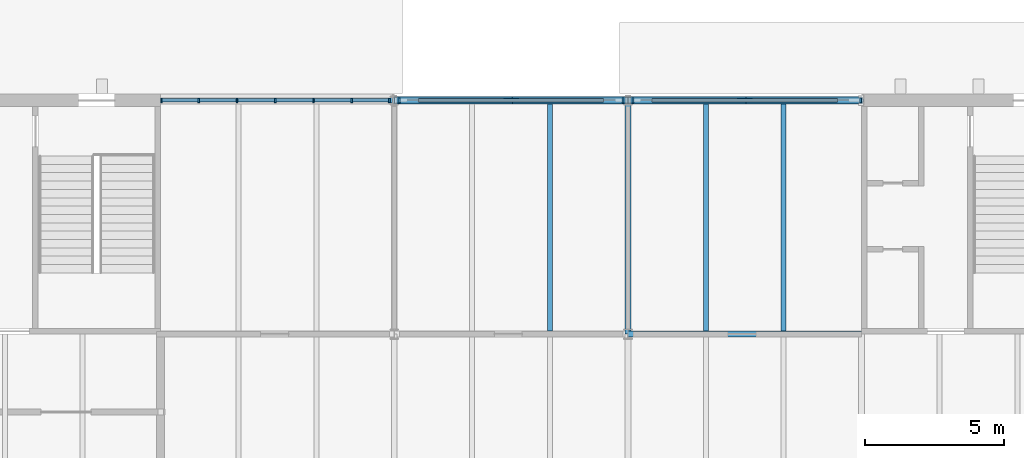
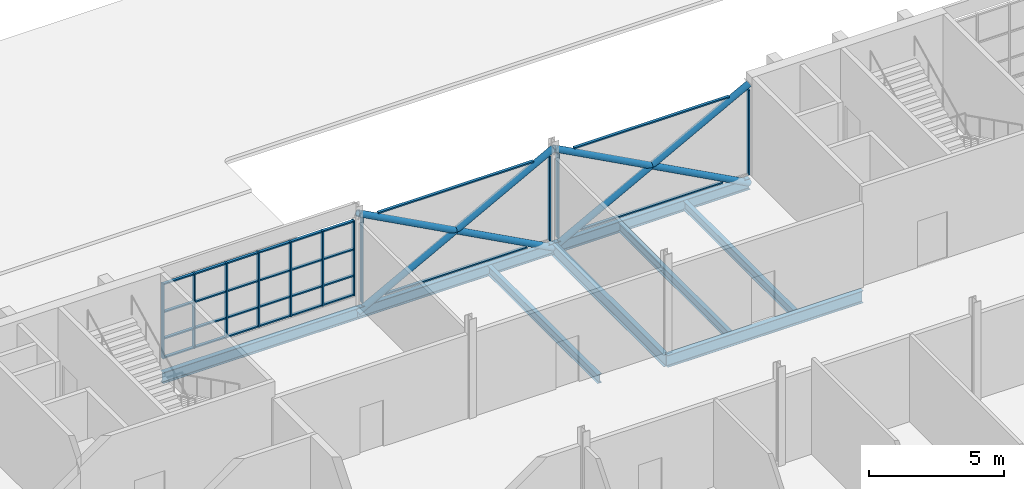
# One storey, part 56 of 116: 45 members, 8 beams, 3 elements without a shape of their own.
"""IFC4 building model written with IfcOpenShell, lengths in metres."""

from ifc_helpers import new_model, si_unit, direction, frame, origin, origin_2d, place, context, subcontext, project, spatial, rectangle, hollow_circle, i_section, extrude, material, layer, layer_set, material_profile, profile_set, type_object, element, aggregate, save


model = new_model("IFC4")

# Units and contexts
model_context = context("Model", 3, precision=1e-05, world=origin(), true_north=direction((0.0, 1.0)))
body_context = subcontext(model_context, "Body", "Model", "MODEL_VIEW")
ifc_project = project(units=[si_unit("LENGTHUNIT", "METRE"), si_unit("AREAUNIT", "SQUARE_METRE"), si_unit("VOLUMEUNIT", "CUBIC_METRE"), si_unit("PLANEANGLEUNIT", "RADIAN"), si_unit("MASSUNIT", "GRAM", prefix="KILO")], contexts=[model_context])

# Site, building, storey
site_placement = place(None, origin())
site = spatial("IfcSite", under=ifc_project, at=site_placement, CompositionType="ELEMENT")
building_placement = place(site_placement, origin())
building = spatial("IfcBuilding", under=site, at=building_placement, Name="Ardhachandra Cancer Care Centre", CompositionType="ELEMENT")
storey_placement = place(building_placement, origin())
storey = spatial("IfcBuildingStorey", under=building, at=storey_placement, Name="L00", CompositionType="ELEMENT", Elevation=0.0)

# Beams
ifc_material_1 = material(Name="Steel E350 (IS 2062)", Category="steel")
ifc_material_profile_1 = material_profile(ifc_material_1, i_section(OverallWidth=0.179931640625, OverallDepth=0.39990234375, WebThickness=0.008544921875, FlangeThickness=0.013427734375, FilletRadius=0.02099609375, at=origin_2d()), Name="NPB 400x180x66.30")
ifc_profile_set_1 = profile_set([ifc_material_profile_1], Name="Steel E350 (IS 2062)")
beam_type_1 = type_object("IfcBeamType", Name="Beam NPB 400x180x66.30", PredefinedType="BEAM", material=ifc_profile_set_1)
for number, where, z_axis, x_axis, name in (
    (1, (58.39990234375, 88.304931640625, -0.35009765625), (0.0, 1.0, 0.0), (-1.0, 0.0, 0.0), "Secondary K6-L6@5600"),
    (2, (64.0, 88.304931640625, -0.35009765625), (0.0, 1.0, 0.0), (-1.0, 0.0, 0.0), "Secondary K7-L7@2800"),
    (3, (66.800048828125, 88.304931640625, -0.35009765625), (0.0, 1.0, 0.0), (-1.0, 0.0, 0.0), "Secondary K7-L7@5600"),
):
    element("IfcBeam", number, at=place(storey_placement, frame(where, z_axis=z_axis, x_axis=x_axis)), inside=storey, type_object=beam_type_1, Name=name, PredefinedType="BEAM", context=body_context, shape_type="SweptSolid", body=[
        extrude(i_section(OverallWidth=0.179931640625, OverallDepth=0.39990234375, WebThickness=0.008544921875, FlangeThickness=0.013427734375, FilletRadius=0.02099609375, at=origin_2d()), origin(), (0.0, 0.0, 1.0), 8.195068359375),
    ])
ifc_material_2 = material(Name="Steel E350 (IS 2062)", Category="steel")
ifc_material_profile_2 = material_profile(ifc_material_2, i_section(OverallWidth=0.199951171875, OverallDepth=0.5, WebThickness=0.01025390625, FlangeThickness=0.01611328125, FilletRadius=0.02099609375, at=origin_2d()), Name="NPB 500x200x90.68")
ifc_profile_set_2 = profile_set([ifc_material_profile_2], Name="Steel E350 (IS 2062)")
beam_type_2 = type_object("IfcBeamType", Name="Beam NPB 500x200x90.68", PredefinedType="BEAM", material=ifc_profile_set_2)
beam_1_placement = place(storey_placement, frame((44.39990234375, 96.60009765625, -0.39990234375), z_axis=(1.0, 0.0, 0.0), x_axis=(0.0, 1.0, 0.0)))
element("IfcBeam", 4, at=beam_1_placement, inside=storey, type_object=beam_type_2, Name="Edge girder L5-L6", PredefinedType="BEAM", context=body_context, shape_type="SweptSolid", body=[
    extrude(i_section(OverallWidth=0.199951171875, OverallDepth=0.5, WebThickness=0.01025390625, FlangeThickness=0.01611328125, FilletRadius=0.02099609375, at=origin_2d()), origin(), (0.0, 0.0, 1.0), 8.400146484375),
])
beam_2_placement = place(storey_placement, frame((52.800048828125, 96.60009765625, -0.39990234375), z_axis=(1.0, 0.0, 0.0), x_axis=(0.0, 1.0, 0.0)))
element("IfcBeam", 5, at=beam_2_placement, inside=storey, type_object=beam_type_2, Name="Edge girder L6-L7", PredefinedType="BEAM", context=body_context, shape_type="SweptSolid", body=[
    extrude(i_section(OverallWidth=0.199951171875, OverallDepth=0.5, WebThickness=0.01025390625, FlangeThickness=0.01611328125, FilletRadius=0.02099609375, at=origin_2d()), origin(), (0.0, 0.0, 1.0), 8.39990234375),
])
beam_3_placement = place(storey_placement, frame((61.199951171875, 96.60009765625, -0.39990234375), z_axis=(1.0, 0.0, 0.0), x_axis=(0.0, 1.0, 0.0)))
element("IfcBeam", 6, at=beam_3_placement, inside=storey, type_object=beam_type_2, Name="Edge girder L7-L8", PredefinedType="BEAM", context=body_context, shape_type="SweptSolid", body=[
    extrude(i_section(OverallWidth=0.199951171875, OverallDepth=0.5, WebThickness=0.01025390625, FlangeThickness=0.01611328125, FilletRadius=0.02099609375, at=origin_2d()), origin(), (0.0, 0.0, 1.0), 8.400146484375),
])
ifc_material_3 = material(Name="Steel E350 (IS 2062)", Category="steel")
ifc_material_profile_3 = material_profile(ifc_material_3, i_section(OverallWidth=0.2099609375, OverallDepth=0.550048828125, WebThickness=0.010986328125, FlangeThickness=0.01708984375, FilletRadius=0.02392578125, at=origin_2d()), Name="NPB 550x210x105.52")
ifc_profile_set_3 = profile_set([ifc_material_profile_3], Name="Steel E350 (IS 2062)")
beam_type_3 = type_object("IfcBeamType", Name="Beam NPB 550x210x105.52", PredefinedType="BEAM", material=ifc_profile_set_3)
for number, where, z_axis, x_axis, name in (
    (7, (61.199951171875, 88.199951171875, -0.425048828125), (1.0, 0.0, 0.0), (0.0, 1.0, 0.0), "Girder K7-K8"),
    (8, (61.199951171875, 88.199951171875, -0.425048828125), (0.0, 1.0, 0.0), (-1.0, 0.0, 0.0), "Girder K7-L7"),
):
    element("IfcBeam", number, at=place(storey_placement, frame(where, z_axis=z_axis, x_axis=x_axis)), inside=storey, type_object=beam_type_3, Name=name, PredefinedType="BEAM", context=body_context, shape_type="SweptSolid", body=[
        extrude(i_section(OverallWidth=0.2099609375, OverallDepth=0.550048828125, WebThickness=0.010986328125, FlangeThickness=0.01708984375, FilletRadius=0.02392578125, at=origin_2d()), origin(), (0.0, 0.0, 1.0), 8.400146484375),
    ])

# Members
ifc_material_4 = material(Name="Steel E350 (IS 2062)", Category="steel")
ifc_material_profile_4 = material_profile(ifc_material_4, hollow_circle(Radius=0.136474609375, WallThickness=0.012451171875, at=origin_2d()), Name="CHS 273x12.5")
ifc_profile_set_4 = profile_set([ifc_material_profile_4], Name="Steel E350 (IS 2062)")
member_type_1 = type_object("IfcMemberType", Name="Brace CHS 273x12.5", PredefinedType="BRACE", material=ifc_profile_set_4)
member_1_placement = place(storey_placement, frame((52.800048828125, 96.60009765625, -0.39990234375), z_axis=(0.881477684796, 0.0, 0.472225678258), x_axis=(0.0, 1.0, 0.0)))
element("IfcMember", 9, at=member_1_placement, inside=storey, type_object=member_type_1, Name="Brace V1-X966-528 L00 A", PredefinedType="BRACE", context=body_context, shape_type="SweptSolid", body=[
    extrude(hollow_circle(Radius=0.136474609375, WallThickness=0.012451171875, at=origin_2d()), origin(), (0.0, 0.0, 1.0), 9.529296875),
])
for number, where, z_axis, x_axis, name in (
    (10, (61.199951171875, 96.60009765625, -0.39990234375), (-0.881477684796, 0.0, 0.472225678258), (0.0, -1.0, 0.0), "Brace V1-X966-528 L00 B1"),
    (11, (57.0, 96.60009765625, 1.85009765625), (-0.881477684796, 0.0, 0.472225678258), (0.0, -1.0, 0.0), "Brace V1-X966-528 L00 B2"),
):
    element("IfcMember", number, at=place(storey_placement, frame(where, z_axis=z_axis, x_axis=x_axis)), inside=storey, type_object=member_type_1, Name=name, PredefinedType="BRACE", context=body_context, shape_type="SweptSolid", body=[
        extrude(hollow_circle(Radius=0.136474609375, WallThickness=0.012451171875, at=origin_2d()), origin(), (0.0, 0.0, 1.0), 4.7646484375),
    ])
member_2_placement = place(storey_placement, frame((61.199951171875, 96.60009765625, -0.39990234375), z_axis=(0.881483397762, 0.0, 0.472215014025), x_axis=(0.0, 1.0, 0.0)))
element("IfcMember", 12, at=member_2_placement, inside=storey, type_object=member_type_1, Name="Brace V1-X966-612 L00 A", PredefinedType="BRACE", context=body_context, shape_type="SweptSolid", body=[
    extrude(hollow_circle(Radius=0.136474609375, WallThickness=0.012451171875, at=origin_2d()), origin(), (0.0, 0.0, 1.0), 9.529541015625),
])
member_3_placement = place(storey_placement, frame((69.60009765625, 96.60009765625, -0.39990234375), z_axis=(-0.881489110341, 0.0, 0.472204350203), x_axis=(0.0, -1.0, 0.0)))
element("IfcMember", 13, at=member_3_placement, inside=storey, type_object=member_type_1, Name="Brace V1-X966-612 L00 B1", PredefinedType="BRACE", context=body_context, shape_type="SweptSolid", body=[
    extrude(hollow_circle(Radius=0.136474609375, WallThickness=0.012451171875, at=origin_2d()), origin(), (0.0, 0.0, 1.0), 4.764892578125),
])
member_4_placement = place(storey_placement, frame((65.39990234375, 96.60009765625, 1.85009765625), z_axis=(-0.881477684796, 0.0, 0.472225678258), x_axis=(0.0, -1.0, 0.0)))
element("IfcMember", 14, at=member_4_placement, inside=storey, type_object=member_type_1, Name="Brace V1-X966-612 L00 B2", PredefinedType="BRACE", context=body_context, shape_type="SweptSolid", body=[
    extrude(hollow_circle(Radius=0.136474609375, WallThickness=0.012451171875, at=origin_2d()), origin(), (0.0, 0.0, 1.0), 4.7646484375),
])

# Curtain wall, members
ifc_material_5 = material(Name="Aluminium extrusion", Category="aluminium")
ifc_layer = layer(ifc_material_5, 0.14990234375)
ifc_layer_set = layer_set([ifc_layer], Name="Aluminium extrusion")
curtain_wall_type = type_object("IfcCurtainWallType", Name="Curtain wall run", PredefinedType="NOTDEFINED", material=ifc_layer_set)
curtain_wall_1_placement = place(storey_placement, origin())
curtain_wall_1 = element("IfcCurtainWall", 15, at=curtain_wall_1_placement, inside=storey, type_object=curtain_wall_type, Name="Curtain wall L00 n/0044400_0096600", PredefinedType="NOTDEFINED")
ifc_material_6 = material(Name="Aluminium extrusion", Category="aluminium")
ifc_material_profile_5 = material_profile(ifc_material_6, rectangle(XDim=0.159912109375, YDim=0.06005859375, at=origin_2d()), Name="Curtain wall mullion 60 x 160")
ifc_profile_set_5 = profile_set([ifc_material_profile_5], Name="Aluminium extrusion")
member_type_2 = type_object("IfcMemberType", Name="Curtain wall mullion 60 x 160", PredefinedType="MULLION", material=ifc_profile_set_5)
member_5_placement = place(storey_placement, frame((44.429931640625, 96.60009765625, 0.449951171875), z_axis=(0.0, 0.0, 1.0), x_axis=(0.0, 1.0, 0.0)))
member_5 = element("IfcMember", 16, at=member_5_placement, type_object=member_type_2, Name="CW mullion 1", PredefinedType="MULLION", context=body_context, shape_type="SweptSolid", body=[
    extrude(rectangle(XDim=0.159912109375, YDim=0.06005859375, at=origin_2d()), origin(), (0.0, 0.0, 1.0), 3.400146484375),
])
member_6_placement = place(storey_placement, frame((45.77490234375, 96.60009765625, 0.449951171875), z_axis=(0.0, 0.0, 1.0), x_axis=(0.0, 1.0, 0.0)))
member_6 = element("IfcMember", 17, at=member_6_placement, type_object=member_type_2, Name="CW mullion 2", PredefinedType="MULLION", context=body_context, shape_type="SweptSolid", body=[
    extrude(rectangle(XDim=0.159912109375, YDim=0.06005859375, at=origin_2d()), origin(), (0.0, 0.0, 1.0), 3.400146484375),
])
member_7_placement = place(storey_placement, frame((47.14990234375, 96.60009765625, 0.449951171875), z_axis=(0.0, 0.0, 1.0), x_axis=(0.0, 1.0, 0.0)))
member_7 = element("IfcMember", 18, at=member_7_placement, type_object=member_type_2, Name="CW mullion 3", PredefinedType="MULLION", context=body_context, shape_type="SweptSolid", body=[
    extrude(rectangle(XDim=0.159912109375, YDim=0.06005859375, at=origin_2d()), origin(), (0.0, 0.0, 1.0), 3.400146484375),
])
member_8_placement = place(storey_placement, frame((48.52490234375, 96.60009765625, 0.449951171875), z_axis=(0.0, 0.0, 1.0), x_axis=(0.0, 1.0, 0.0)))
member_8 = element("IfcMember", 19, at=member_8_placement, type_object=member_type_2, Name="CW mullion 4", PredefinedType="MULLION", context=body_context, shape_type="SweptSolid", body=[
    extrude(rectangle(XDim=0.159912109375, YDim=0.06005859375, at=origin_2d()), origin(), (0.0, 0.0, 1.0), 3.400146484375),
])
member_9_placement = place(storey_placement, frame((49.89990234375, 96.60009765625, 0.449951171875), z_axis=(0.0, 0.0, 1.0), x_axis=(0.0, 1.0, 0.0)))
member_9 = element("IfcMember", 20, at=member_9_placement, type_object=member_type_2, Name="CW mullion 5", PredefinedType="MULLION", context=body_context, shape_type="SweptSolid", body=[
    extrude(rectangle(XDim=0.159912109375, YDim=0.06005859375, at=origin_2d()), origin(), (0.0, 0.0, 1.0), 3.400146484375),
])
member_10_placement = place(storey_placement, frame((51.27490234375, 96.60009765625, 0.449951171875), z_axis=(0.0, 0.0, 1.0), x_axis=(0.0, 1.0, 0.0)))
member_10 = element("IfcMember", 21, at=member_10_placement, type_object=member_type_2, Name="CW mullion 6", PredefinedType="MULLION", context=body_context, shape_type="SweptSolid", body=[
    extrude(rectangle(XDim=0.159912109375, YDim=0.06005859375, at=origin_2d()), origin(), (0.0, 0.0, 1.0), 3.400146484375),
])
member_11_placement = place(storey_placement, frame((52.6201171875, 96.60009765625, 0.449951171875), z_axis=(0.0, 0.0, 1.0), x_axis=(0.0, 1.0, 0.0)))
member_11 = element("IfcMember", 22, at=member_11_placement, type_object=member_type_2, Name="CW mullion 7", PredefinedType="MULLION", context=body_context, shape_type="SweptSolid", body=[
    extrude(rectangle(XDim=0.159912109375, YDim=0.06005859375, at=origin_2d()), origin(), (0.0, 0.0, 1.0), 3.400146484375),
])

curtain_wall_2_placement = place(storey_placement, origin())
curtain_wall_2 = element("IfcCurtainWall", 23, at=curtain_wall_2_placement, inside=storey, type_object=curtain_wall_type, Name="Curtain wall L00 n/0052800_0096600", PredefinedType="NOTDEFINED")
member_12_placement = place(storey_placement, frame((52.97998046875, 96.60009765625, 0.0), z_axis=(0.0, 0.0, 1.0), x_axis=(0.0, 1.0, 0.0)))
member_12 = element("IfcMember", 24, at=member_12_placement, type_object=member_type_2, Name="CW mullion 1", PredefinedType="MULLION", context=body_context, shape_type="SweptSolid", body=[
    extrude(rectangle(XDim=0.159912109375, YDim=0.06005859375, at=origin_2d()), origin(), (0.0, 0.0, 1.0), 3.8310546875),
])
member_13_placement = place(storey_placement, frame((61.02001953125, 96.60009765625, 0.0), z_axis=(0.0, 0.0, 1.0), x_axis=(0.0, 1.0, 0.0)))
member_13 = element("IfcMember", 25, at=member_13_placement, type_object=member_type_2, Name="CW mullion 2", PredefinedType="MULLION", context=body_context, shape_type="SweptSolid", body=[
    extrude(rectangle(XDim=0.159912109375, YDim=0.06005859375, at=origin_2d()), origin(), (0.0, 0.0, 1.0), 3.8310546875),
])

curtain_wall_3_placement = place(storey_placement, origin())
curtain_wall_3 = element("IfcCurtainWall", 26, at=curtain_wall_3_placement, inside=storey, type_object=curtain_wall_type, Name="Curtain wall L00 n/0061200_0096600", PredefinedType="NOTDEFINED")
member_14_placement = place(storey_placement, frame((61.3798828125, 96.60009765625, 0.0), z_axis=(0.0, 0.0, 1.0), x_axis=(0.0, 1.0, 0.0)))
member_14 = element("IfcMember", 27, at=member_14_placement, type_object=member_type_2, Name="CW mullion 1", PredefinedType="MULLION", context=body_context, shape_type="SweptSolid", body=[
    extrude(rectangle(XDim=0.159912109375, YDim=0.06005859375, at=origin_2d()), origin(), (0.0, 0.0, 1.0), 3.8310546875),
])
member_15_placement = place(storey_placement, frame((69.570068359375, 96.60009765625, 0.0), z_axis=(0.0, 0.0, 1.0), x_axis=(0.0, 1.0, 0.0)))
member_15 = element("IfcMember", 28, at=member_15_placement, type_object=member_type_2, Name="CW mullion 2", PredefinedType="MULLION", context=body_context, shape_type="SweptSolid", body=[
    extrude(rectangle(XDim=0.159912109375, YDim=0.06005859375, at=origin_2d()), origin(), (0.0, 0.0, 1.0), 3.85009765625),
])

# Member
ifc_material_7 = material(Name="Aluminium extrusion", Category="aluminium")
ifc_material_profile_6 = material_profile(ifc_material_7, rectangle(XDim=0.1201171875, YDim=0.06005859375, at=origin_2d()), Name="Curtain wall transom 60 x 120")
ifc_profile_set_6 = profile_set([ifc_material_profile_6], Name="Aluminium extrusion")
member_type_3 = type_object("IfcMemberType", Name="Curtain wall transom 60 x 120", PredefinedType="USERDEFINED", material=ifc_profile_set_6)
member_16_placement = place(storey_placement, frame((44.4599609375, 96.60009765625, 0.47998046875), z_axis=(1.0, 0.0, 0.0), x_axis=(0.0, 1.0, 0.0)))
member_16 = element("IfcMember", 29, at=member_16_placement, type_object=member_type_3, Name="CW transom 1.1", ObjectType="TRANSOM", PredefinedType="USERDEFINED", context=body_context, shape_type="SweptSolid", body=[
    extrude(rectangle(XDim=0.1201171875, YDim=0.06005859375, at=origin_2d()), origin(), (0.0, 0.0, 1.0), 1.28515625),
])

member_17_placement = place(storey_placement, frame((44.4599609375, 96.60009765625, 1.35009765625), z_axis=(1.0, 0.0, 0.0), x_axis=(0.0, 1.0, 0.0)))
member_17 = element("IfcMember", 30, at=member_17_placement, type_object=member_type_3, Name="CW transom 1.2", ObjectType="TRANSOM", PredefinedType="USERDEFINED", context=body_context, shape_type="SweptSolid", body=[
    extrude(rectangle(XDim=0.1201171875, YDim=0.06005859375, at=origin_2d()), origin(), (0.0, 0.0, 1.0), 1.28515625),
])

member_18_placement = place(storey_placement, frame((44.4599609375, 96.60009765625, 2.550048828125), z_axis=(1.0, 0.0, 0.0), x_axis=(0.0, 1.0, 0.0)))
member_18 = element("IfcMember", 31, at=member_18_placement, type_object=member_type_3, Name="CW transom 1.3", ObjectType="TRANSOM", PredefinedType="USERDEFINED", context=body_context, shape_type="SweptSolid", body=[
    extrude(rectangle(XDim=0.1201171875, YDim=0.06005859375, at=origin_2d()), origin(), (0.0, 0.0, 1.0), 1.28515625),
])

member_19_placement = place(storey_placement, frame((44.4599609375, 96.60009765625, 3.820068359375), z_axis=(1.0, 0.0, 0.0), x_axis=(0.0, 1.0, 0.0)))
member_19 = element("IfcMember", 32, at=member_19_placement, type_object=member_type_3, Name="CW transom 1.4", ObjectType="TRANSOM", PredefinedType="USERDEFINED", context=body_context, shape_type="SweptSolid", body=[
    extrude(rectangle(XDim=0.1201171875, YDim=0.06005859375, at=origin_2d()), origin(), (0.0, 0.0, 1.0), 1.28515625),
])

member_20_placement = place(storey_placement, frame((45.804931640625, 96.60009765625, 0.47998046875), z_axis=(1.0, 0.0, 0.0), x_axis=(0.0, 1.0, 0.0)))
member_20 = element("IfcMember", 33, at=member_20_placement, type_object=member_type_3, Name="CW transom 2.1", ObjectType="TRANSOM", PredefinedType="USERDEFINED", context=body_context, shape_type="SweptSolid", body=[
    extrude(rectangle(XDim=0.1201171875, YDim=0.06005859375, at=origin_2d()), origin(), (0.0, 0.0, 1.0), 1.315185546875),
])

member_21_placement = place(storey_placement, frame((45.804931640625, 96.60009765625, 1.35009765625), z_axis=(1.0, 0.0, 0.0), x_axis=(0.0, 1.0, 0.0)))
member_21 = element("IfcMember", 34, at=member_21_placement, type_object=member_type_3, Name="CW transom 2.2", ObjectType="TRANSOM", PredefinedType="USERDEFINED", context=body_context, shape_type="SweptSolid", body=[
    extrude(rectangle(XDim=0.1201171875, YDim=0.06005859375, at=origin_2d()), origin(), (0.0, 0.0, 1.0), 1.315185546875),
])

member_22_placement = place(storey_placement, frame((45.804931640625, 96.60009765625, 2.550048828125), z_axis=(1.0, 0.0, 0.0), x_axis=(0.0, 1.0, 0.0)))
member_22 = element("IfcMember", 35, at=member_22_placement, type_object=member_type_3, Name="CW transom 2.3", ObjectType="TRANSOM", PredefinedType="USERDEFINED", context=body_context, shape_type="SweptSolid", body=[
    extrude(rectangle(XDim=0.1201171875, YDim=0.06005859375, at=origin_2d()), origin(), (0.0, 0.0, 1.0), 1.315185546875),
])

member_23_placement = place(storey_placement, frame((45.804931640625, 96.60009765625, 3.820068359375), z_axis=(1.0, 0.0, 0.0), x_axis=(0.0, 1.0, 0.0)))
member_23 = element("IfcMember", 36, at=member_23_placement, type_object=member_type_3, Name="CW transom 2.4", ObjectType="TRANSOM", PredefinedType="USERDEFINED", context=body_context, shape_type="SweptSolid", body=[
    extrude(rectangle(XDim=0.1201171875, YDim=0.06005859375, at=origin_2d()), origin(), (0.0, 0.0, 1.0), 1.315185546875),
])

member_24_placement = place(storey_placement, frame((47.179931640625, 96.60009765625, 0.47998046875), z_axis=(1.0, 0.0, 0.0), x_axis=(0.0, 1.0, 0.0)))
member_24 = element("IfcMember", 37, at=member_24_placement, type_object=member_type_3, Name="CW transom 3.1", ObjectType="TRANSOM", PredefinedType="USERDEFINED", context=body_context, shape_type="SweptSolid", body=[
    extrude(rectangle(XDim=0.1201171875, YDim=0.06005859375, at=origin_2d()), origin(), (0.0, 0.0, 1.0), 1.315185546875),
])

member_25_placement = place(storey_placement, frame((47.179931640625, 96.60009765625, 1.35009765625), z_axis=(1.0, 0.0, 0.0), x_axis=(0.0, 1.0, 0.0)))
member_25 = element("IfcMember", 38, at=member_25_placement, type_object=member_type_3, Name="CW transom 3.2", ObjectType="TRANSOM", PredefinedType="USERDEFINED", context=body_context, shape_type="SweptSolid", body=[
    extrude(rectangle(XDim=0.1201171875, YDim=0.06005859375, at=origin_2d()), origin(), (0.0, 0.0, 1.0), 1.315185546875),
])

member_26_placement = place(storey_placement, frame((47.179931640625, 96.60009765625, 2.550048828125), z_axis=(1.0, 0.0, 0.0), x_axis=(0.0, 1.0, 0.0)))
member_26 = element("IfcMember", 39, at=member_26_placement, type_object=member_type_3, Name="CW transom 3.3", ObjectType="TRANSOM", PredefinedType="USERDEFINED", context=body_context, shape_type="SweptSolid", body=[
    extrude(rectangle(XDim=0.1201171875, YDim=0.06005859375, at=origin_2d()), origin(), (0.0, 0.0, 1.0), 1.315185546875),
])

member_27_placement = place(storey_placement, frame((47.179931640625, 96.60009765625, 3.820068359375), z_axis=(1.0, 0.0, 0.0), x_axis=(0.0, 1.0, 0.0)))
member_27 = element("IfcMember", 40, at=member_27_placement, type_object=member_type_3, Name="CW transom 3.4", ObjectType="TRANSOM", PredefinedType="USERDEFINED", context=body_context, shape_type="SweptSolid", body=[
    extrude(rectangle(XDim=0.1201171875, YDim=0.06005859375, at=origin_2d()), origin(), (0.0, 0.0, 1.0), 1.315185546875),
])

member_28_placement = place(storey_placement, frame((48.554931640625, 96.60009765625, 0.47998046875), z_axis=(1.0, 0.0, 0.0), x_axis=(0.0, 1.0, 0.0)))
member_28 = element("IfcMember", 41, at=member_28_placement, type_object=member_type_3, Name="CW transom 4.1", ObjectType="TRANSOM", PredefinedType="USERDEFINED", context=body_context, shape_type="SweptSolid", body=[
    extrude(rectangle(XDim=0.1201171875, YDim=0.06005859375, at=origin_2d()), origin(), (0.0, 0.0, 1.0), 1.315185546875),
])

member_29_placement = place(storey_placement, frame((48.554931640625, 96.60009765625, 1.35009765625), z_axis=(1.0, 0.0, 0.0), x_axis=(0.0, 1.0, 0.0)))
member_29 = element("IfcMember", 42, at=member_29_placement, type_object=member_type_3, Name="CW transom 4.2", ObjectType="TRANSOM", PredefinedType="USERDEFINED", context=body_context, shape_type="SweptSolid", body=[
    extrude(rectangle(XDim=0.1201171875, YDim=0.06005859375, at=origin_2d()), origin(), (0.0, 0.0, 1.0), 1.315185546875),
])

member_30_placement = place(storey_placement, frame((48.554931640625, 96.60009765625, 2.550048828125), z_axis=(1.0, 0.0, 0.0), x_axis=(0.0, 1.0, 0.0)))
member_30 = element("IfcMember", 43, at=member_30_placement, type_object=member_type_3, Name="CW transom 4.3", ObjectType="TRANSOM", PredefinedType="USERDEFINED", context=body_context, shape_type="SweptSolid", body=[
    extrude(rectangle(XDim=0.1201171875, YDim=0.06005859375, at=origin_2d()), origin(), (0.0, 0.0, 1.0), 1.315185546875),
])

member_31_placement = place(storey_placement, frame((48.554931640625, 96.60009765625, 3.820068359375), z_axis=(1.0, 0.0, 0.0), x_axis=(0.0, 1.0, 0.0)))
member_31 = element("IfcMember", 44, at=member_31_placement, type_object=member_type_3, Name="CW transom 4.4", ObjectType="TRANSOM", PredefinedType="USERDEFINED", context=body_context, shape_type="SweptSolid", body=[
    extrude(rectangle(XDim=0.1201171875, YDim=0.06005859375, at=origin_2d()), origin(), (0.0, 0.0, 1.0), 1.315185546875),
])

member_32_placement = place(storey_placement, frame((49.929931640625, 96.60009765625, 0.47998046875), z_axis=(1.0, 0.0, 0.0), x_axis=(0.0, 1.0, 0.0)))
member_32 = element("IfcMember", 45, at=member_32_placement, type_object=member_type_3, Name="CW transom 5.1", ObjectType="TRANSOM", PredefinedType="USERDEFINED", context=body_context, shape_type="SweptSolid", body=[
    extrude(rectangle(XDim=0.1201171875, YDim=0.06005859375, at=origin_2d()), origin(), (0.0, 0.0, 1.0), 1.315185546875),
])

member_33_placement = place(storey_placement, frame((49.929931640625, 96.60009765625, 1.35009765625), z_axis=(1.0, 0.0, 0.0), x_axis=(0.0, 1.0, 0.0)))
member_33 = element("IfcMember", 46, at=member_33_placement, type_object=member_type_3, Name="CW transom 5.2", ObjectType="TRANSOM", PredefinedType="USERDEFINED", context=body_context, shape_type="SweptSolid", body=[
    extrude(rectangle(XDim=0.1201171875, YDim=0.06005859375, at=origin_2d()), origin(), (0.0, 0.0, 1.0), 1.315185546875),
])

member_34_placement = place(storey_placement, frame((49.929931640625, 96.60009765625, 2.550048828125), z_axis=(1.0, 0.0, 0.0), x_axis=(0.0, 1.0, 0.0)))
member_34 = element("IfcMember", 47, at=member_34_placement, type_object=member_type_3, Name="CW transom 5.3", ObjectType="TRANSOM", PredefinedType="USERDEFINED", context=body_context, shape_type="SweptSolid", body=[
    extrude(rectangle(XDim=0.1201171875, YDim=0.06005859375, at=origin_2d()), origin(), (0.0, 0.0, 1.0), 1.315185546875),
])

member_35_placement = place(storey_placement, frame((49.929931640625, 96.60009765625, 3.820068359375), z_axis=(1.0, 0.0, 0.0), x_axis=(0.0, 1.0, 0.0)))
member_35 = element("IfcMember", 48, at=member_35_placement, type_object=member_type_3, Name="CW transom 5.4", ObjectType="TRANSOM", PredefinedType="USERDEFINED", context=body_context, shape_type="SweptSolid", body=[
    extrude(rectangle(XDim=0.1201171875, YDim=0.06005859375, at=origin_2d()), origin(), (0.0, 0.0, 1.0), 1.315185546875),
])

member_36_placement = place(storey_placement, frame((51.304931640625, 96.60009765625, 0.47998046875), z_axis=(1.0, 0.0, 0.0), x_axis=(0.0, 1.0, 0.0)))
member_36 = element("IfcMember", 49, at=member_36_placement, type_object=member_type_3, Name="CW transom 6.1", ObjectType="TRANSOM", PredefinedType="USERDEFINED", context=body_context, shape_type="SweptSolid", body=[
    extrude(rectangle(XDim=0.1201171875, YDim=0.06005859375, at=origin_2d()), origin(), (0.0, 0.0, 1.0), 1.28515625),
])

member_37_placement = place(storey_placement, frame((51.304931640625, 96.60009765625, 1.35009765625), z_axis=(1.0, 0.0, 0.0), x_axis=(0.0, 1.0, 0.0)))
member_37 = element("IfcMember", 50, at=member_37_placement, type_object=member_type_3, Name="CW transom 6.2", ObjectType="TRANSOM", PredefinedType="USERDEFINED", context=body_context, shape_type="SweptSolid", body=[
    extrude(rectangle(XDim=0.1201171875, YDim=0.06005859375, at=origin_2d()), origin(), (0.0, 0.0, 1.0), 1.28515625),
])

member_38_placement = place(storey_placement, frame((51.304931640625, 96.60009765625, 2.550048828125), z_axis=(1.0, 0.0, 0.0), x_axis=(0.0, 1.0, 0.0)))
member_38 = element("IfcMember", 51, at=member_38_placement, type_object=member_type_3, Name="CW transom 6.3", ObjectType="TRANSOM", PredefinedType="USERDEFINED", context=body_context, shape_type="SweptSolid", body=[
    extrude(rectangle(XDim=0.1201171875, YDim=0.06005859375, at=origin_2d()), origin(), (0.0, 0.0, 1.0), 1.28515625),
])

member_39_placement = place(storey_placement, frame((51.304931640625, 96.60009765625, 3.820068359375), z_axis=(1.0, 0.0, 0.0), x_axis=(0.0, 1.0, 0.0)))
member_39 = element("IfcMember", 52, at=member_39_placement, type_object=member_type_3, Name="CW transom 6.4", ObjectType="TRANSOM", PredefinedType="USERDEFINED", context=body_context, shape_type="SweptSolid", body=[
    extrude(rectangle(XDim=0.1201171875, YDim=0.06005859375, at=origin_2d()), origin(), (0.0, 0.0, 1.0), 1.28515625),
])

aggregate(curtain_wall_1, [member_5, member_6, member_7, member_8, member_9, member_10, member_11, member_16, member_17, member_18, member_19, member_20, member_21, member_22, member_23, member_24, member_25, member_26, member_27, member_28, member_29, member_30, member_31, member_32, member_33, member_34, member_35, member_36, member_37, member_38, member_39])

member_40_placement = place(storey_placement, frame((53.950927734375, 96.60009765625, 0.030029296875), z_axis=(1.0, 0.0, 0.0), x_axis=(0.0, 1.0, 0.0)))
member_40 = element("IfcMember", 53, at=member_40_placement, type_object=member_type_3, Name="CW transom 1.1", ObjectType="TRANSOM", PredefinedType="USERDEFINED", context=body_context, shape_type="SweptSolid", body=[
    extrude(rectangle(XDim=0.1201171875, YDim=0.06005859375, at=origin_2d()), origin(), (0.0, 0.0, 1.0), 6.09912109375),
])

member_41_placement = place(storey_placement, frame((53.669921875, 96.60009765625, 3.820068359375), z_axis=(1.0, 0.0, 0.0), x_axis=(0.0, 1.0, 0.0)))
member_41 = element("IfcMember", 54, at=member_41_placement, type_object=member_type_3, Name="CW transom 1.2", ObjectType="TRANSOM", PredefinedType="USERDEFINED", context=body_context, shape_type="SweptSolid", body=[
    extrude(rectangle(XDim=0.1201171875, YDim=0.06005859375, at=origin_2d()), origin(), (0.0, 0.0, 1.0), 6.66015625),
])

aggregate(curtain_wall_2, [member_12, member_13, member_40, member_41])

member_42_placement = place(storey_placement, frame((62.349853515625, 96.60009765625, 0.030029296875), z_axis=(1.0, 0.0, 0.0), x_axis=(0.0, 1.0, 0.0)))
member_42 = element("IfcMember", 55, at=member_42_placement, type_object=member_type_3, Name="CW transom 1.1", ObjectType="TRANSOM", PredefinedType="USERDEFINED", context=body_context, shape_type="SweptSolid", body=[
    extrude(rectangle(XDim=0.1201171875, YDim=0.06005859375, at=origin_2d()), origin(), (0.0, 0.0, 1.0), 6.100341796875),
])

member_43_placement = place(storey_placement, frame((62.06982421875, 96.60009765625, 3.820068359375), z_axis=(1.0, 0.0, 0.0), x_axis=(0.0, 1.0, 0.0)))
member_43 = element("IfcMember", 56, at=member_43_placement, type_object=member_type_3, Name="CW transom 1.2", ObjectType="TRANSOM", PredefinedType="USERDEFINED", context=body_context, shape_type="SweptSolid", body=[
    extrude(rectangle(XDim=0.1201171875, YDim=0.06005859375, at=origin_2d()), origin(), (0.0, 0.0, 1.0), 6.660400390625),
])

aggregate(curtain_wall_3, [member_14, member_15, member_42, member_43])

save(model, "model.ifc")
